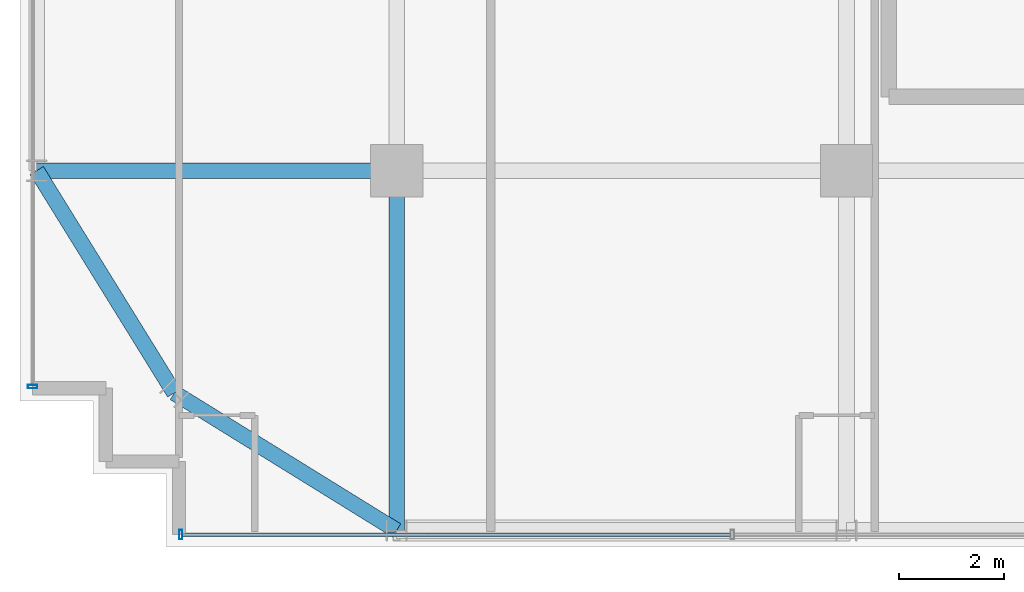
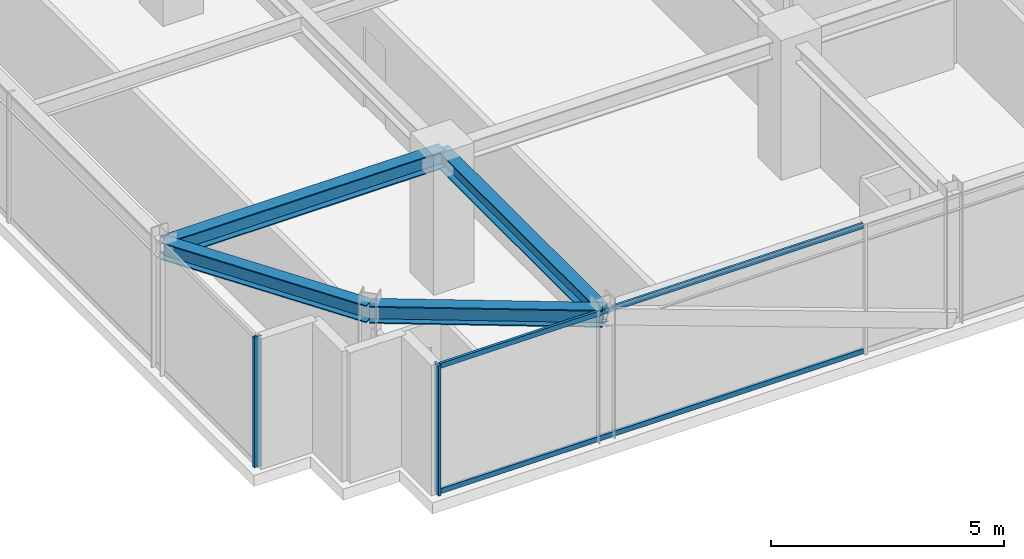
# One storey, part 4 of 36: 4 beams, 4 members, 2 elements without a shape of their own.
"""IFC4 building model written with IfcOpenShell, lengths in metres."""

from ifc_helpers import new_model, si_unit, direction, frame, origin, origin_2d, place, context, subcontext, project, spatial, hollow_rectangle, i_section, extrude, source, transform, mapped, material, material_profile, profile_set, type_object, element, aggregate, save


model = new_model("IFC4")

# Units and contexts
model_context = context("Model", 3, precision=1e-05, world=origin(), true_north=direction((0.0, 1.0)))
body_context = subcontext(model_context, "Body", "Model", "MODEL_VIEW")
ifc_project = project(units=[si_unit("LENGTHUNIT", "METRE"), si_unit("AREAUNIT", "SQUARE_METRE"), si_unit("VOLUMEUNIT", "CUBIC_METRE"), si_unit("PLANEANGLEUNIT", "RADIAN"), si_unit("MASSUNIT", "GRAM", prefix="KILO")], contexts=[model_context])

# Site, building, storey
site_placement = place(None, origin())
site = spatial("IfcSite", under=ifc_project, at=site_placement, CompositionType="ELEMENT")
building_placement = place(site_placement, origin())
building = spatial("IfcBuilding", under=site, at=building_placement, Name="Nahalor Promenade Grand Hotel", CompositionType="ELEMENT")
storey_placement = place(building_placement, frame((0.0, 0.0, 234.5)))
storey = spatial("IfcBuildingStorey", under=building, at=storey_placement, Name="L60", CompositionType="ELEMENT", Elevation=234.5)

# Beams
ifc_material_1 = material(Name="Steel S355JR", Category="steel")
ifc_material_profile_1 = material_profile(ifc_material_1, i_section(OverallWidth=0.3, OverallDepth=0.45, WebThickness=0.014, FlangeThickness=0.026, at=origin_2d()), Name="HEB 450")
ifc_profile_set_1 = profile_set([ifc_material_profile_1], Name="Steel S355JR")
beam_type_1 = type_object("IfcBeamType", Name="Beam-Spandrel-HEB450", PredefinedType="SPANDREL", material=ifc_profile_set_1)
shared_shape_1 = source(origin(), body_context, "Body", "SweptSolid", [
    extrude(i_section(OverallWidth=0.3, OverallDepth=0.45, WebThickness=0.014, FlangeThickness=0.026, at=origin_2d()), origin(), (0.0, 0.0, 1.0), 4.997802734375),
])
for number, where, z_axis, x_axis, name in (
    (1, (-17.0, -23.8798828125, 3.18505859375), (-0.850360908404, 0.526199891161, 0.0), (-0.526199891161, -0.850360908404, 0.0), "BM-L60-SPC-SW-1"),
    (2, (-21.25, -21.25, 3.18505859375), (-0.526199891161, 0.850360908404, 0.0), (-0.850360908404, -0.526199891161, 0.0), "BM-L60-SPC-SW-2"),
):
    element("IfcBeam", number, at=place(storey_placement, frame(where, z_axis=z_axis, x_axis=x_axis)), inside=storey, type_object=beam_type_1, Name=name, PredefinedType="SPANDREL", context=body_context, shape_type="MappedRepresentation", body=[
        mapped(shared_shape_1, transform((0.0, 0.0, 0.0), scale=1.0)),
    ])
ifc_material_profile_2 = material_profile(ifc_material_1, i_section(OverallWidth=0.3, OverallDepth=0.45, WebThickness=0.014, FlangeThickness=0.026, at=origin_2d()), Name="HEB 450")
ifc_profile_set_2 = profile_set([ifc_material_profile_2], Name="Steel S355JR")
beam_type_2 = type_object("IfcBeamType", Name="Beam-Girder-HEB450", PredefinedType="BEAM", material=ifc_profile_set_2)
shared_shape_2 = source(origin(), body_context, "Body", "SweptSolid", [
    extrude(i_section(OverallWidth=0.3, OverallDepth=0.45, WebThickness=0.014, FlangeThickness=0.026, at=origin_2d()), origin(), (0.0, 0.0, 1.0), 6.8798828125),
])
for number, where, z_axis, x_axis, name in (
    (3, (-23.8798828125, -17.0, 3.18505859375), (1.0, 0.0, 0.0), (0.0, 1.0, 0.0), "BM-L60-GX-0-0"),
    (4, (-17.0, -23.8798828125, 3.18505859375), (0.0, 1.0, 0.0), (-1.0, 0.0, 0.0), "BM-L60-GY-0-0"),
):
    element("IfcBeam", number, at=place(storey_placement, frame(where, z_axis=z_axis, x_axis=x_axis)), inside=storey, type_object=beam_type_2, Name=name, PredefinedType="BEAM", context=body_context, shape_type="MappedRepresentation", body=[
        mapped(shared_shape_2, transform((0.0, 0.0, 0.0), scale=1.0)),
    ])

# Curtain wall, members
ifc_material_2 = material(Name="Anodised Bronze Aluminium EN AW-6063 T6", Category="aluminium")
curtain_wall_type = type_object("IfcCurtainWallType", Name="CW2 Typical Hotel Flush Bronze Unitised Curtain Wall", PredefinedType="USERDEFINED", material=ifc_material_2)
curtain_wall_1_placement = place(storey_placement, origin())
curtain_wall_1 = element("IfcCurtainWall", 5, at=curtain_wall_1_placement, inside=storey, type_object=curtain_wall_type, Name="L60 Curtain Wall CW-L60-S-1", ObjectType="UNITISED_CURTAIN_WALL", PredefinedType="USERDEFINED")
ifc_material_profile_3 = material_profile(ifc_material_2, hollow_rectangle(XDim=0.065, YDim=0.13, WallThickness=0.004, at=origin_2d()), Name="CWT 65x130x4")
ifc_profile_set_3 = profile_set([ifc_material_profile_3], Name="Anodised Bronze Aluminium EN AW-6063 T6")
member_type_1 = type_object("IfcMemberType", Name="CWT2 Typical Bronze Transom 65x130", PredefinedType="USERDEFINED", material=ifc_profile_set_3)
shared_shape_3 = source(origin(), body_context, "Body", "SweptSolid", [
    extrude(hollow_rectangle(XDim=0.065, YDim=0.13, WallThickness=0.004, at=origin_2d()), origin(), (0.0, 0.0, 1.0), 10.482421875),
])
member_1_placement = place(storey_placement, frame((-21.094970703125, -23.9599609375, 0.06494140625), z_axis=(1.0, 0.0, 0.0), x_axis=(0.0, 1.0, 0.0)))
member_1 = element("IfcMember", 6, at=member_1_placement, type_object=member_type_1, Name="CW-L60-S-1 Transom 0-0", ObjectType="TRANSOM", PredefinedType="USERDEFINED", context=body_context, shape_type="MappedRepresentation", body=[
    mapped(shared_shape_3, transform((0.0, 0.0, 0.0), scale=1.0)),
])
member_2_placement = place(storey_placement, frame((-21.094970703125, -23.9599609375, 3.344970703125), z_axis=(1.0, 0.0, 0.0), x_axis=(0.0, 1.0, 0.0)))
member_2 = element("IfcMember", 7, at=member_2_placement, type_object=member_type_1, Name="CW-L60-S-1 Transom 0-1", ObjectType="TRANSOM", PredefinedType="USERDEFINED", context=body_context, shape_type="MappedRepresentation", body=[
    mapped(shared_shape_3, transform((0.0, 0.0, 0.0), scale=1.0)),
])
ifc_material_profile_4 = material_profile(ifc_material_2, hollow_rectangle(XDim=0.065, YDim=0.18, WallThickness=0.004, at=origin_2d()), Name="CWM 65x180x4")
ifc_profile_set_4 = profile_set([ifc_material_profile_4], Name="Anodised Bronze Aluminium EN AW-6063 T6")
member_type_2 = type_object("IfcMemberType", Name="CWM2 Typical Bronze Mullion 65x180", PredefinedType="MULLION", material=ifc_profile_set_4)
shared_shape_4 = source(origin(), body_context, "Body", "SweptSolid", [
    extrude(hollow_rectangle(XDim=0.065, YDim=0.18, WallThickness=0.004, at=origin_2d()), origin(), (0.0, 0.0, 1.0), 3.409912109375),
])
member_3_placement = place(storey_placement, frame((-21.12744140625, -23.9599609375, 0.0), z_axis=(0.0, 0.0, 1.0), x_axis=(1.0, 0.0, 0.0)))
member_3 = element("IfcMember", 8, at=member_3_placement, type_object=member_type_2, Name="CW-L60-S-1 Mullion 0", PredefinedType="MULLION", context=body_context, shape_type="MappedRepresentation", body=[
    mapped(shared_shape_4, transform((0.0, 0.0, 0.0), scale=1.0)),
])
aggregate(curtain_wall_1, [member_3, member_1, member_2])

# Curtain wall, member
curtain_wall_2_placement = place(storey_placement, origin())
curtain_wall_2 = element("IfcCurtainWall", 9, at=curtain_wall_2_placement, inside=storey, type_object=curtain_wall_type, Name="L60 Curtain Wall CW-L60-W-1", ObjectType="UNITISED_CURTAIN_WALL", PredefinedType="USERDEFINED")
member_4_placement = place(storey_placement, frame((-23.9599609375, -21.12744140625, 0.0), z_axis=(0.0, 0.0, 1.0), x_axis=(0.0, 1.0, 0.0)))
member_4 = element("IfcMember", 10, at=member_4_placement, type_object=member_type_2, Name="CW-L60-W-1 Mullion 0", PredefinedType="MULLION", context=body_context, shape_type="MappedRepresentation", body=[
    mapped(shared_shape_4, transform((0.0, 0.0, 0.0), scale=1.0)),
])
aggregate(curtain_wall_2, [member_4])

save(model, "model.ifc")
